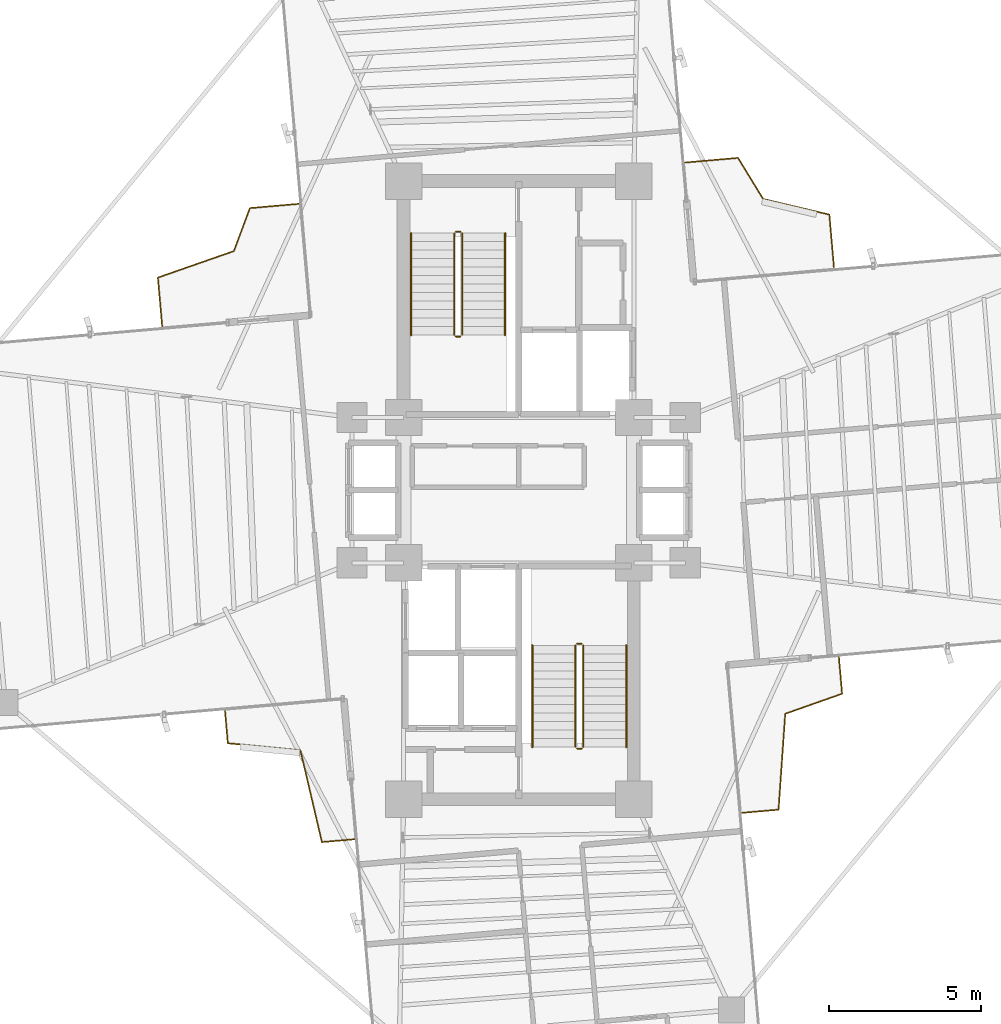
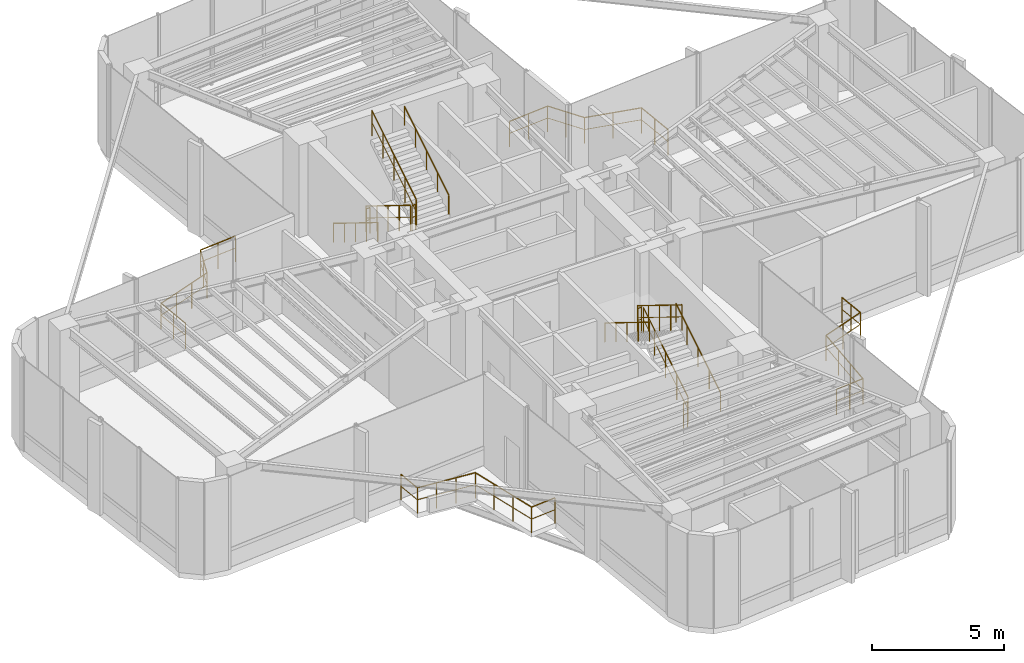
# One storey, part 19 of 19: 16 railings.
"""IFC4 building model written with IfcOpenShell, lengths in metres."""

from ifc_helpers import new_model, si_unit, direction, frame, origin, origin_2d, place, context, subcontext, project, spatial, circle, extrude, material, type_object, element, save


model = new_model("IFC4")

# Units and contexts
model_context = context("Model", 3, precision=1e-05, world=origin(), true_north=direction((0.0, 1.0)))
body_context = subcontext(model_context, "Body", "Model", "MODEL_VIEW")
ifc_project = project(units=[si_unit("LENGTHUNIT", "METRE"), si_unit("AREAUNIT", "SQUARE_METRE"), si_unit("VOLUMEUNIT", "CUBIC_METRE"), si_unit("PLANEANGLEUNIT", "RADIAN"), si_unit("MASSUNIT", "GRAM", prefix="KILO")], contexts=[model_context])

# Site, building, storey
site_placement = place(None, origin())
site = spatial("IfcSite", under=ifc_project, at=site_placement, CompositionType="ELEMENT")
building_placement = place(site_placement, origin())
building = spatial("IfcBuilding", under=site, at=building_placement, Name="Sahyath Konkavel Grand Hotel", CompositionType="ELEMENT")
storey_placement = place(building_placement, frame((0.0, 0.0, 142.75)))
storey = spatial("IfcBuildingStorey", under=building, at=storey_placement, Name="L39", CompositionType="ELEMENT", Elevation=142.75)

# Railings
ifc_material_1 = material(Name="Anodised Bronze Aluminium", Category="aluminium")
railing_type_1 = type_object("IfcRailingType", Name="RLG-BALC-1200", PredefinedType="GUARDRAIL", material=ifc_material_1)
railing_1_placement = place(storey_placement, frame((10.405517578125, 7.344970703125, 0.0)))
element("IfcRailing", 1, at=railing_1_placement, inside=storey, type_object=railing_type_1, Name="L39 Winter-Garden Guard NE", PredefinedType="GUARDRAIL", context=body_context, shape_type="SweptSolid", body=[
    extrude(circle(Radius=0.02392578125, at=origin_2d()), frame((-0.000244140625, 0.001953125, 1.17578125), z_axis=(-0.087151431864, 0.996195075236, 0.0), x_axis=(-0.996195075236, -0.087151431864, 0.0)), (0.0, 0.0, 1.0), 1.75244140625),
    extrude(circle(Radius=0.01416015625, at=origin_2d()), frame((-0.000244140625, 0.001953125, 0.6240234375), z_axis=(-0.087151431864, 0.996195075236, 0.0), x_axis=(-0.996195075236, -0.087151431864, 0.0)), (0.0, 0.0, 1.0), 1.75244140625),
    extrude(circle(Radius=0.02392578125, at=origin_2d()), frame((-0.155029296875, 1.750244140625, 1.17578125), z_axis=(-0.973084134691, 0.230450139536, 0.0), x_axis=(-0.230450139536, -0.973084134691, 0.0)), (0.0, 0.0, 1.0), 2.242919921875),
    extrude(circle(Radius=0.01416015625, at=origin_2d()), frame((-0.155029296875, 1.750244140625, 0.6240234375), z_axis=(-0.973084134691, 0.230450139536, 0.0), x_axis=(-0.230450139536, -0.973084134691, 0.0)), (0.0, 0.0, 1.0), 2.242919921875),
    extrude(circle(Radius=0.02392578125, at=origin_2d()), frame((-2.340576171875, 2.269287109375, 1.17578125), z_axis=(-0.52153712838, 0.8532285882, 0.0), x_axis=(-0.8532285882, -0.52153712838, 0.0)), (0.0, 0.0, 1.0), 1.5830078125),
    extrude(circle(Radius=0.01416015625, at=origin_2d()), frame((-2.340576171875, 2.269287109375, 0.6240234375), z_axis=(-0.52153712838, 0.8532285882, 0.0), x_axis=(-0.8532285882, -0.52153712838, 0.0)), (0.0, 0.0, 1.0), 1.5830078125),
    extrude(circle(Radius=0.02392578125, at=origin_2d()), frame((-3.169189453125, 3.621337890625, 1.17578125), z_axis=(-0.996196130754, -0.08713936579, 0.0), x_axis=(0.08713936579, -0.996196130754, 0.0)), (0.0, 0.0, 1.0), 1.752685546875),
    extrude(circle(Radius=0.01416015625, at=origin_2d()), frame((-3.169189453125, 3.621337890625, 0.6240234375), z_axis=(-0.996196130754, -0.08713936579, 0.0), x_axis=(0.08713936579, -0.996196130754, 0.0)), (0.0, 0.0, 1.0), 1.752685546875),
    extrude(circle(Radius=0.02099609375, at=origin_2d()), origin(), (0.0, 0.0, 1.0), 1.15185546875),
    extrude(circle(Radius=0.02099609375, at=origin_2d()), frame((-0.07666015625, 0.875, 0.0)), (0.0, 0.0, 1.0), 1.15185546875),
    extrude(circle(Radius=0.02099609375, at=origin_2d()), frame((-0.153076171875, 1.749755859375, 0.0)), (0.0, 0.0, 1.0), 1.15185546875),
    extrude(circle(Radius=0.02099609375, at=origin_2d()), frame((-1.246337890625, 2.0087890625, 0.0)), (0.0, 0.0, 1.0), 1.15185546875),
    extrude(circle(Radius=0.02099609375, at=origin_2d()), frame((-2.339599609375, 2.267578125, 0.0)), (0.0, 0.0, 1.0), 1.15185546875),
    extrude(circle(Radius=0.02099609375, at=origin_2d()), frame((-2.75341796875, 2.944580078125, 0.0)), (0.0, 0.0, 1.0), 1.15185546875),
    extrude(circle(Radius=0.02099609375, at=origin_2d()), frame((-3.167236328125, 3.62158203125, 0.0)), (0.0, 0.0, 1.0), 1.15185546875),
    extrude(circle(Radius=0.02099609375, at=origin_2d()), frame((-4.042236328125, 3.544921875, 0.0)), (0.0, 0.0, 1.0), 1.15185546875),
    extrude(circle(Radius=0.02099609375, at=origin_2d()), frame((-4.917236328125, 3.468505859375, 0.0)), (0.0, 0.0, 1.0), 1.15185546875),
])
railing_2_placement = place(storey_placement, frame((-7.26123046875, 9.4501953125, 0.0)))
element("IfcRailing", 2, at=railing_2_placement, inside=storey, type_object=railing_type_1, Name="L39 Winter-Garden Guard NW", PredefinedType="GUARDRAIL", context=body_context, shape_type="SweptSolid", body=[
    extrude(circle(Radius=0.02392578125, at=origin_2d()), frame((-0.001953125, -0.000244140625, 1.17578125), z_axis=(-0.996188309888, -0.087228729452, 0.0), x_axis=(0.087228729452, -0.996188309888, 0.0)), (0.0, 0.0, 1.0), 1.61376953125),
    extrude(circle(Radius=0.01416015625, at=origin_2d()), frame((-0.001953125, -0.000244140625, 0.6240234375), z_axis=(-0.996188309888, -0.087228729452, 0.0), x_axis=(0.087228729452, -0.996188309888, 0.0)), (0.0, 0.0, 1.0), 1.61376953125),
    extrude(circle(Radius=0.02392578125, at=origin_2d()), frame((-1.6123046875, -0.14306640625, 1.17578125), z_axis=(-0.350399143304, -0.936600469983, 0.0), x_axis=(0.936600469983, -0.350399143304, 0.0)), (0.0, 0.0, 1.0), 1.5107421875),
    extrude(circle(Radius=0.01416015625, at=origin_2d()), frame((-1.6123046875, -0.14306640625, 0.6240234375), z_axis=(-0.350399143304, -0.936600469983, 0.0), x_axis=(0.936600469983, -0.350399143304, 0.0)), (0.0, 0.0, 1.0), 1.5107421875),
    extrude(circle(Radius=0.02392578125, at=origin_2d()), frame((-2.144287109375, -1.560546875, 1.17578125), z_axis=(-0.944233437274, -0.329276807465, 0.0), x_axis=(0.329276807465, -0.944233437274, 0.0)), (0.0, 0.0, 1.0), 2.650390625),
    extrude(circle(Radius=0.01416015625, at=origin_2d()), frame((-2.144287109375, -1.560546875, 0.6240234375), z_axis=(-0.944233437274, -0.329276807465, 0.0), x_axis=(0.329276807465, -0.944233437274, 0.0)), (0.0, 0.0, 1.0), 2.650390625),
    extrude(circle(Radius=0.02392578125, at=origin_2d()), frame((-4.6484375, -2.435791015625, 1.17578125), z_axis=(0.087228729452, -0.996188309888, 0.0), x_axis=(0.996188309888, 0.087228729452, 0.0)), (0.0, 0.0, 1.0), 1.61376953125),
    extrude(circle(Radius=0.01416015625, at=origin_2d()), frame((-4.6484375, -2.435791015625, 0.6240234375), z_axis=(0.087228729452, -0.996188309888, 0.0), x_axis=(0.996188309888, 0.087228729452, 0.0)), (0.0, 0.0, 1.0), 1.61376953125),
    extrude(circle(Radius=0.02099609375, at=origin_2d()), origin(), (0.0, 0.0, 1.0), 1.15185546875),
    extrude(circle(Radius=0.02099609375, at=origin_2d()), frame((-0.8056640625, -0.070556640625, 0.0)), (0.0, 0.0, 1.0), 1.15185546875),
    extrude(circle(Radius=0.02099609375, at=origin_2d()), frame((-1.611572265625, -0.14111328125, 0.0)), (0.0, 0.0, 1.0), 1.15185546875),
    extrude(circle(Radius=0.02099609375, at=origin_2d()), frame((-1.876953125, -0.8505859375, 0.0)), (0.0, 0.0, 1.0), 1.15185546875),
    extrude(circle(Radius=0.02099609375, at=origin_2d()), frame((-2.142333984375, -1.559814453125, 0.0)), (0.0, 0.0, 1.0), 1.15185546875),
    extrude(circle(Radius=0.02099609375, at=origin_2d()), frame((-2.977783203125, -1.85107421875, 0.0)), (0.0, 0.0, 1.0), 1.15185546875),
    extrude(circle(Radius=0.02099609375, at=origin_2d()), frame((-3.813232421875, -2.142578125, 0.0)), (0.0, 0.0, 1.0), 1.15185546875),
    extrude(circle(Radius=0.02099609375, at=origin_2d()), frame((-4.648681640625, -2.433837890625, 0.0)), (0.0, 0.0, 1.0), 1.15185546875),
    extrude(circle(Radius=0.02099609375, at=origin_2d()), frame((-4.578125, -3.23974609375, 0.0)), (0.0, 0.0, 1.0), 1.15185546875),
    extrude(circle(Radius=0.02099609375, at=origin_2d()), frame((-4.507568359375, -4.04541015625, 0.0)), (0.0, 0.0, 1.0), 1.15185546875),
])
railing_3_placement = place(storey_placement, frame((-9.6962890625, -7.28271484375, 0.0)))
element("IfcRailing", 3, at=railing_3_placement, inside=storey, type_object=railing_type_1, Name="L39 Winter-Garden Guard SW", PredefinedType="GUARDRAIL", context=body_context, shape_type="SweptSolid", body=[
    extrude(circle(Radius=0.02392578125, at=origin_2d()), frame((0.000244140625, -0.001953125, 1.17578125), z_axis=(0.087403509854, -0.996172990231, 0.0), x_axis=(0.996172990231, 0.087403509854, 0.0)), (0.0, 0.0, 1.0), 1.0712890625),
    extrude(circle(Radius=0.01416015625, at=origin_2d()), frame((0.000244140625, -0.001953125, 0.6240234375), z_axis=(0.087403509854, -0.996172990231, 0.0), x_axis=(0.996172990231, 0.087403509854, 0.0)), (0.0, 0.0, 1.0), 1.0712890625),
    extrude(circle(Radius=0.02392578125, at=origin_2d()), frame((0.095947265625, -1.071533203125, 1.17578125), z_axis=(0.995280129777, -0.097043615303, 0.0), x_axis=(0.097043615303, 0.995280129777, 0.0)), (0.0, 0.0, 1.0), 2.403564453125),
    extrude(circle(Radius=0.01416015625, at=origin_2d()), frame((0.095947265625, -1.071533203125, 0.6240234375), z_axis=(0.995280129777, -0.097043615303, 0.0), x_axis=(0.097043615303, 0.995280129777, 0.0)), (0.0, 0.0, 1.0), 2.403564453125),
    extrude(circle(Radius=0.02392578125, at=origin_2d()), frame((2.49072265625, -1.306884765625, 1.17578125), z_axis=(0.227696056266, -0.973732255787, 0.0), x_axis=(0.973732255787, 0.227696056266, 0.0)), (0.0, 0.0, 1.0), 3.1064453125),
    extrude(circle(Radius=0.01416015625, at=origin_2d()), frame((2.49072265625, -1.306884765625, 0.6240234375), z_axis=(0.227696056266, -0.973732255787, 0.0), x_axis=(0.973732255787, 0.227696056266, 0.0)), (0.0, 0.0, 1.0), 3.1064453125),
    extrude(circle(Radius=0.02392578125, at=origin_2d()), frame((3.200439453125, -4.33349609375, 1.17578125), z_axis=(0.996192731738, 0.087178215357, 0.0), x_axis=(-0.087178215357, 0.996192731738, 0.0)), (0.0, 0.0, 1.0), 1.0712890625),
    extrude(circle(Radius=0.01416015625, at=origin_2d()), frame((3.200439453125, -4.33349609375, 0.6240234375), z_axis=(0.996192731738, 0.087178215357, 0.0), x_axis=(-0.087178215357, 0.996192731738, 0.0)), (0.0, 0.0, 1.0), 1.0712890625),
    extrude(circle(Radius=0.02099609375, at=origin_2d()), origin(), (0.0, 0.0, 1.0), 1.15185546875),
    extrude(circle(Radius=0.02099609375, at=origin_2d()), frame((0.093994140625, -1.0712890625, 0.0)), (0.0, 0.0, 1.0), 1.15185546875),
    extrude(circle(Radius=0.02099609375, at=origin_2d()), frame((0.892822265625, -1.149169921875, 0.0)), (0.0, 0.0, 1.0), 1.15185546875),
    extrude(circle(Radius=0.02099609375, at=origin_2d()), frame((1.69140625, -1.22705078125, 0.0)), (0.0, 0.0, 1.0), 1.15185546875),
    extrude(circle(Radius=0.02099609375, at=origin_2d()), frame((2.490234375, -1.304931640625, 0.0)), (0.0, 0.0, 1.0), 1.15185546875),
    extrude(circle(Radius=0.02099609375, at=origin_2d()), frame((2.726318359375, -2.314453125, 0.0)), (0.0, 0.0, 1.0), 1.15185546875),
    extrude(circle(Radius=0.02099609375, at=origin_2d()), frame((2.96240234375, -3.32421875, 0.0)), (0.0, 0.0, 1.0), 1.15185546875),
    extrude(circle(Radius=0.02099609375, at=origin_2d()), frame((3.198486328125, -4.333740234375, 0.0)), (0.0, 0.0, 1.0), 1.15185546875),
    extrude(circle(Radius=0.02099609375, at=origin_2d()), frame((4.269775390625, -4.239990234375, 0.0)), (0.0, 0.0, 1.0), 1.15185546875),
])
railing_4_placement = place(storey_placement, frame((7.366455078125, -10.651611328125, 0.0)))
element("IfcRailing", 4, at=railing_4_placement, inside=storey, type_object=railing_type_1, Name="L39 Winter-Garden Guard SE", PredefinedType="GUARDRAIL", context=body_context, shape_type="SweptSolid", body=[
    extrude(circle(Radius=0.02392578125, at=origin_2d()), frame((0.001953125, 0.000244140625, 1.17578125), z_axis=(0.996186075833, 0.087254239538, 0.0), x_axis=(-0.087254239538, 0.996186075833, 0.0)), (0.0, 0.0, 1.0), 1.21044921875),
    extrude(circle(Radius=0.01416015625, at=origin_2d()), frame((0.001953125, 0.000244140625, 0.6240234375), z_axis=(0.996186075833, 0.087254239538, 0.0), x_axis=(-0.087254239538, 0.996186075833, 0.0)), (0.0, 0.0, 1.0), 1.21044921875),
    extrude(circle(Radius=0.02392578125, at=origin_2d()), frame((1.2099609375, 0.10791015625, 1.17578125), z_axis=(0.069578668835, 0.997576467667, 0.0), x_axis=(-0.997576467667, 0.069578668835, 0.0)), (0.0, 0.0, 1.0), 3.16796875),
    extrude(circle(Radius=0.01416015625, at=origin_2d()), frame((1.2099609375, 0.10791015625, 0.6240234375), z_axis=(0.069578668835, 0.997576467667, 0.0), x_axis=(-0.997576467667, 0.069578668835, 0.0)), (0.0, 0.0, 1.0), 3.16796875),
    extrude(circle(Radius=0.02392578125, at=origin_2d()), frame((1.432373046875, 3.27099609375, 1.17578125), z_axis=(0.943094490442, 0.332524859368, 0.0), x_axis=(-0.332524859368, 0.943094490442, 0.0)), (0.0, 0.0, 1.0), 1.985595703125),
    extrude(circle(Radius=0.01416015625, at=origin_2d()), frame((1.432373046875, 3.27099609375, 0.6240234375), z_axis=(0.943094490442, 0.332524859368, 0.0), x_axis=(-0.332524859368, 0.943094490442, 0.0)), (0.0, 0.0, 1.0), 1.985595703125),
    extrude(circle(Radius=0.02392578125, at=origin_2d()), frame((3.306640625, 3.933837890625, 1.17578125), z_axis=(-0.087254239538, 0.996186075833, 0.0), x_axis=(-0.996186075833, -0.087254239538, 0.0)), (0.0, 0.0, 1.0), 1.21044921875),
    extrude(circle(Radius=0.01416015625, at=origin_2d()), frame((3.306640625, 3.933837890625, 0.6240234375), z_axis=(-0.087254239538, 0.996186075833, 0.0), x_axis=(-0.996186075833, -0.087254239538, 0.0)), (0.0, 0.0, 1.0), 1.21044921875),
    extrude(circle(Radius=0.02099609375, at=origin_2d()), origin(), (0.0, 0.0, 1.0), 1.15185546875),
    extrude(circle(Radius=0.02099609375, at=origin_2d()), frame((0.60498046875, 0.052978515625, 0.0)), (0.0, 0.0, 1.0), 1.15185546875),
    extrude(circle(Radius=0.02099609375, at=origin_2d()), frame((1.209716796875, 0.10595703125, 0.0)), (0.0, 0.0, 1.0), 1.15185546875),
    extrude(circle(Radius=0.02099609375, at=origin_2d()), frame((1.283203125, 1.16064453125, 0.0)), (0.0, 0.0, 1.0), 1.15185546875),
    extrude(circle(Radius=0.02099609375, at=origin_2d()), frame((1.35693359375, 2.215576171875, 0.0)), (0.0, 0.0, 1.0), 1.15185546875),
    extrude(circle(Radius=0.02099609375, at=origin_2d()), frame((1.430419921875, 3.270263671875, 0.0)), (0.0, 0.0, 1.0), 1.15185546875),
    extrude(circle(Radius=0.02099609375, at=origin_2d()), frame((2.36865234375, 3.60107421875, 0.0)), (0.0, 0.0, 1.0), 1.15185546875),
    extrude(circle(Radius=0.02099609375, at=origin_2d()), frame((3.306884765625, 3.931884765625, 0.0)), (0.0, 0.0, 1.0), 1.15185546875),
    extrude(circle(Radius=0.02099609375, at=origin_2d()), frame((3.25390625, 4.53662109375, 0.0)), (0.0, 0.0, 1.0), 1.15185546875),
    extrude(circle(Radius=0.02099609375, at=origin_2d()), frame((3.200927734375, 5.1416015625, 0.0)), (0.0, 0.0, 1.0), 1.15185546875),
])
ifc_material_2 = material(Name="Steel E350", Category="steel")
railing_type_2 = type_object("IfcRailingType", Name="RLG-STAIR-GRD", PredefinedType="GUARDRAIL", material=ifc_material_2)
railing_5_placement = place(storey_placement, frame((-2.1298828125, 8.47998046875, 0.173095703125)))
element("IfcRailing", 5, at=railing_5_placement, inside=storey, type_object=railing_type_2, Name="L39 ST-1 stair guard 1", PredefinedType="GUARDRAIL", context=body_context, shape_type="SweptSolid", body=[
    extrude(circle(Radius=0.02392578125, at=origin_2d()), frame((0.0, -0.001708984375, 1.177001953125), z_axis=(0.0, -0.850606129759, 0.525803396734), x_axis=(1.0, 0.0, 0.0)), (0.0, 0.0, 1.0), 3.946044921875),
    extrude(circle(Radius=0.01416015625, at=origin_2d()), frame((0.0, -0.001708984375, 0.625), z_axis=(0.0, -0.850606129759, 0.525803396734), x_axis=(1.0, 0.0, 0.0)), (0.0, 0.0, 1.0), 3.946044921875),
    extrude(circle(Radius=0.02099609375, at=origin_2d()), origin(), (0.0, 0.0, 1.0), 1.15185546875),
    extrude(circle(Radius=0.02099609375, at=origin_2d()), frame((0.0, -0.83984375, 0.519287109375)), (0.0, 0.0, 1.0), 1.15185546875),
    extrude(circle(Radius=0.02099609375, at=origin_2d()), frame((0.0, -1.679931640625, 1.03857421875)), (0.0, 0.0, 1.0), 1.15185546875),
    extrude(circle(Radius=0.02099609375, at=origin_2d()), frame((0.0, -2.52001953125, 1.5576171875)), (0.0, 0.0, 1.0), 1.15185546875),
    extrude(circle(Radius=0.02099609375, at=origin_2d()), frame((0.0, -3.35986328125, 2.076904296875)), (0.0, 0.0, 1.0), 1.15185546875),
])
railing_6_placement = place(storey_placement, frame((-2.080078125, 5.070068359375, 2.25)))
element("IfcRailing", 6, at=railing_6_placement, inside=storey, type_object=railing_type_2, Name="L39 ST-1 stair guard 2", PredefinedType="GUARDRAIL", context=body_context, shape_type="SweptSolid", body=[
    extrude(circle(Radius=0.02392578125, at=origin_2d()), frame((0.001953125, 0.0, 1.17578125), z_axis=(1.0, 0.0, 0.0), x_axis=(0.0, 1.0, 0.0)), (0.0, 0.0, 1.0), 0.15625),
    extrude(circle(Radius=0.01416015625, at=origin_2d()), frame((0.001953125, 0.0, 0.6240234375), z_axis=(1.0, 0.0, 0.0), x_axis=(0.0, 1.0, 0.0)), (0.0, 0.0, 1.0), 0.15625),
    extrude(circle(Radius=0.02099609375, at=origin_2d()), origin(), (0.0, 0.0, 1.0), 1.15185546875),
    extrude(circle(Radius=0.02099609375, at=origin_2d()), frame((0.16015625, 0.0, 0.0)), (0.0, 0.0, 1.0), 1.15185546875),
])
railing_7_placement = place(storey_placement, frame((-1.8701171875, 5.1201171875, 2.423095703125)))
element("IfcRailing", 7, at=railing_7_placement, inside=storey, type_object=railing_type_2, Name="L39 ST-1 stair guard 3", PredefinedType="GUARDRAIL", context=body_context, shape_type="SweptSolid", body=[
    extrude(circle(Radius=0.02392578125, at=origin_2d()), frame((0.0, 0.001708984375, 1.177001953125), z_axis=(0.0, 0.850606129759, 0.525803396734), x_axis=(-1.0, 0.0, 0.0)), (0.0, 0.0, 1.0), 3.946044921875),
    extrude(circle(Radius=0.01416015625, at=origin_2d()), frame((0.0, 0.001708984375, 0.625), z_axis=(0.0, 0.850606129759, 0.525803396734), x_axis=(-1.0, 0.0, 0.0)), (0.0, 0.0, 1.0), 3.946044921875),
    extrude(circle(Radius=0.02099609375, at=origin_2d()), origin(), (0.0, 0.0, 1.0), 1.15185546875),
    extrude(circle(Radius=0.02099609375, at=origin_2d()), frame((0.0, 0.83984375, 0.519287109375)), (0.0, 0.0, 1.0), 1.15185546875),
    extrude(circle(Radius=0.02099609375, at=origin_2d()), frame((0.0, 1.679931640625, 1.03857421875)), (0.0, 0.0, 1.0), 1.15185546875),
    extrude(circle(Radius=0.02099609375, at=origin_2d()), frame((0.0, 2.52001953125, 1.5576171875)), (0.0, 0.0, 1.0), 1.15185546875),
    extrude(circle(Radius=0.02099609375, at=origin_2d()), frame((0.0, 3.35986328125, 2.076904296875)), (0.0, 0.0, 1.0), 1.15185546875),
])
railing_8_placement = place(storey_placement, frame((-2.080078125, 8.530029296875, 0.0)))
element("IfcRailing", 8, at=railing_8_placement, inside=storey, type_object=railing_type_2, Name="L39 ST-1 stair guard 4", PredefinedType="GUARDRAIL", context=body_context, shape_type="SweptSolid", body=[
    extrude(circle(Radius=0.02392578125, at=origin_2d()), frame((0.001953125, 0.0, 1.17578125), z_axis=(1.0, 0.0, 0.0), x_axis=(0.0, 1.0, 0.0)), (0.0, 0.0, 1.0), 0.15625),
    extrude(circle(Radius=0.01416015625, at=origin_2d()), frame((0.001953125, 0.0, 0.6240234375), z_axis=(1.0, 0.0, 0.0), x_axis=(0.0, 1.0, 0.0)), (0.0, 0.0, 1.0), 0.15625),
    extrude(circle(Radius=0.02099609375, at=origin_2d()), origin(), (0.0, 0.0, 1.0), 1.15185546875),
    extrude(circle(Radius=0.02099609375, at=origin_2d()), frame((0.16015625, 0.0, 0.0)), (0.0, 0.0, 1.0), 1.15185546875),
])
railing_9_placement = place(storey_placement, frame((2.1298828125, -8.47998046875, 0.173095703125)))
element("IfcRailing", 9, at=railing_9_placement, inside=storey, type_object=railing_type_2, Name="L39 ST-2 stair guard 1", PredefinedType="GUARDRAIL", context=body_context, shape_type="SweptSolid", body=[
    extrude(circle(Radius=0.02392578125, at=origin_2d()), frame((0.0, 0.001708984375, 1.177001953125), z_axis=(0.0, 0.850606129759, 0.525803396734), x_axis=(-1.0, 0.0, 0.0)), (0.0, 0.0, 1.0), 3.946044921875),
    extrude(circle(Radius=0.01416015625, at=origin_2d()), frame((0.0, 0.001708984375, 0.625), z_axis=(0.0, 0.850606129759, 0.525803396734), x_axis=(-1.0, 0.0, 0.0)), (0.0, 0.0, 1.0), 3.946044921875),
    extrude(circle(Radius=0.02099609375, at=origin_2d()), origin(), (0.0, 0.0, 1.0), 1.15185546875),
    extrude(circle(Radius=0.02099609375, at=origin_2d()), frame((0.0, 0.83984375, 0.519287109375)), (0.0, 0.0, 1.0), 1.15185546875),
    extrude(circle(Radius=0.02099609375, at=origin_2d()), frame((0.0, 1.679931640625, 1.03857421875)), (0.0, 0.0, 1.0), 1.15185546875),
    extrude(circle(Radius=0.02099609375, at=origin_2d()), frame((0.0, 2.52001953125, 1.5576171875)), (0.0, 0.0, 1.0), 1.15185546875),
    extrude(circle(Radius=0.02099609375, at=origin_2d()), frame((0.0, 3.35986328125, 2.076904296875)), (0.0, 0.0, 1.0), 1.15185546875),
])
railing_10_placement = place(storey_placement, frame((2.080078125, -5.070068359375, 2.25)))
element("IfcRailing", 10, at=railing_10_placement, inside=storey, type_object=railing_type_2, Name="L39 ST-2 stair guard 2", PredefinedType="GUARDRAIL", context=body_context, shape_type="SweptSolid", body=[
    extrude(circle(Radius=0.02392578125, at=origin_2d()), frame((-0.001953125, 0.0, 1.17578125), z_axis=(-1.0, 0.0, 0.0), x_axis=(0.0, -1.0, 0.0)), (0.0, 0.0, 1.0), 0.15625),
    extrude(circle(Radius=0.01416015625, at=origin_2d()), frame((-0.001953125, 0.0, 0.6240234375), z_axis=(-1.0, 0.0, 0.0), x_axis=(0.0, -1.0, 0.0)), (0.0, 0.0, 1.0), 0.15625),
    extrude(circle(Radius=0.02099609375, at=origin_2d()), origin(), (0.0, 0.0, 1.0), 1.15185546875),
    extrude(circle(Radius=0.02099609375, at=origin_2d()), frame((-0.16015625, 0.0, 0.0)), (0.0, 0.0, 1.0), 1.15185546875),
])
railing_11_placement = place(storey_placement, frame((1.8701171875, -5.1201171875, 2.423095703125)))
element("IfcRailing", 11, at=railing_11_placement, inside=storey, type_object=railing_type_2, Name="L39 ST-2 stair guard 3", PredefinedType="GUARDRAIL", context=body_context, shape_type="SweptSolid", body=[
    extrude(circle(Radius=0.02392578125, at=origin_2d()), frame((0.0, -0.001708984375, 1.177001953125), z_axis=(0.0, -0.850606129759, 0.525803396734), x_axis=(1.0, 0.0, 0.0)), (0.0, 0.0, 1.0), 3.946044921875),
    extrude(circle(Radius=0.01416015625, at=origin_2d()), frame((0.0, -0.001708984375, 0.625), z_axis=(0.0, -0.850606129759, 0.525803396734), x_axis=(1.0, 0.0, 0.0)), (0.0, 0.0, 1.0), 3.946044921875),
    extrude(circle(Radius=0.02099609375, at=origin_2d()), origin(), (0.0, 0.0, 1.0), 1.15185546875),
    extrude(circle(Radius=0.02099609375, at=origin_2d()), frame((0.0, -0.83984375, 0.519287109375)), (0.0, 0.0, 1.0), 1.15185546875),
    extrude(circle(Radius=0.02099609375, at=origin_2d()), frame((0.0, -1.679931640625, 1.03857421875)), (0.0, 0.0, 1.0), 1.15185546875),
    extrude(circle(Radius=0.02099609375, at=origin_2d()), frame((0.0, -2.52001953125, 1.5576171875)), (0.0, 0.0, 1.0), 1.15185546875),
    extrude(circle(Radius=0.02099609375, at=origin_2d()), frame((0.0, -3.35986328125, 2.076904296875)), (0.0, 0.0, 1.0), 1.15185546875),
])
railing_12_placement = place(storey_placement, frame((2.080078125, -8.530029296875, 0.0)))
element("IfcRailing", 12, at=railing_12_placement, inside=storey, type_object=railing_type_2, Name="L39 ST-2 stair guard 4", PredefinedType="GUARDRAIL", context=body_context, shape_type="SweptSolid", body=[
    extrude(circle(Radius=0.02392578125, at=origin_2d()), frame((-0.001953125, 0.0, 1.17578125), z_axis=(-1.0, 0.0, 0.0), x_axis=(0.0, -1.0, 0.0)), (0.0, 0.0, 1.0), 0.15625),
    extrude(circle(Radius=0.01416015625, at=origin_2d()), frame((-0.001953125, 0.0, 0.6240234375), z_axis=(-1.0, 0.0, 0.0), x_axis=(0.0, -1.0, 0.0)), (0.0, 0.0, 1.0), 0.15625),
    extrude(circle(Radius=0.02099609375, at=origin_2d()), origin(), (0.0, 0.0, 1.0), 1.15185546875),
    extrude(circle(Radius=0.02099609375, at=origin_2d()), frame((-0.16015625, 0.0, 0.0)), (0.0, 0.0, 1.0), 1.15185546875),
])
railing_type_3 = type_object("IfcRailingType", Name="RLG-STAIR-HND", PredefinedType="HANDRAIL", material=ifc_material_1)
railing_13_placement = place(storey_placement, frame((-3.550048828125, 8.47998046875, 0.173095703125)))
element("IfcRailing", 13, at=railing_13_placement, inside=storey, type_object=railing_type_3, Name="L39 ST-1 stair handrail 1", PredefinedType="HANDRAIL", context=body_context, shape_type="SweptSolid", body=[
    extrude(circle(Radius=0.02392578125, at=origin_2d()), frame((0.0, -0.001708984375, 0.876953125), z_axis=(0.0, -0.850606129759, 0.525803396734), x_axis=(1.0, 0.0, 0.0)), (0.0, 0.0, 1.0), 3.946044921875),
    extrude(circle(Radius=0.02099609375, at=origin_2d()), origin(), (0.0, 0.0, 1.0), 0.851806640625),
    extrude(circle(Radius=0.02099609375, at=origin_2d()), frame((0.0, -0.83984375, 0.519287109375)), (0.0, 0.0, 1.0), 0.851806640625),
    extrude(circle(Radius=0.02099609375, at=origin_2d()), frame((0.0, -1.679931640625, 1.03857421875)), (0.0, 0.0, 1.0), 0.851806640625),
    extrude(circle(Radius=0.02099609375, at=origin_2d()), frame((0.0, -2.52001953125, 1.5576171875)), (0.0, 0.0, 1.0), 0.851806640625),
    extrude(circle(Radius=0.02099609375, at=origin_2d()), frame((0.0, -3.35986328125, 2.076904296875)), (0.0, 0.0, 1.0), 0.851806640625),
])
for number, where, name in (
    (14, (-0.449951171875, 5.1201171875, 2.423095703125), "L39 ST-1 stair handrail 2"),
    (15, (3.550048828125, -8.47998046875, 0.173095703125), "L39 ST-2 stair handrail 1"),
):
    element("IfcRailing", number, at=place(storey_placement, frame(where)), inside=storey, type_object=railing_type_3, Name=name, PredefinedType="HANDRAIL", context=body_context, shape_type="SweptSolid", body=[
        extrude(circle(Radius=0.02392578125, at=origin_2d()), frame((0.0, 0.001708984375, 0.876953125), z_axis=(0.0, 0.850606129759, 0.525803396734), x_axis=(-1.0, 0.0, 0.0)), (0.0, 0.0, 1.0), 3.946044921875),
        extrude(circle(Radius=0.02099609375, at=origin_2d()), origin(), (0.0, 0.0, 1.0), 0.851806640625),
        extrude(circle(Radius=0.02099609375, at=origin_2d()), frame((0.0, 0.83984375, 0.519287109375)), (0.0, 0.0, 1.0), 0.851806640625),
        extrude(circle(Radius=0.02099609375, at=origin_2d()), frame((0.0, 1.679931640625, 1.03857421875)), (0.0, 0.0, 1.0), 0.851806640625),
        extrude(circle(Radius=0.02099609375, at=origin_2d()), frame((0.0, 2.52001953125, 1.5576171875)), (0.0, 0.0, 1.0), 0.851806640625),
        extrude(circle(Radius=0.02099609375, at=origin_2d()), frame((0.0, 3.35986328125, 2.076904296875)), (0.0, 0.0, 1.0), 0.851806640625),
    ])
railing_14_placement = place(storey_placement, frame((0.449951171875, -5.1201171875, 2.423095703125)))
element("IfcRailing", 16, at=railing_14_placement, inside=storey, type_object=railing_type_3, Name="L39 ST-2 stair handrail 2", PredefinedType="HANDRAIL", context=body_context, shape_type="SweptSolid", body=[
    extrude(circle(Radius=0.02392578125, at=origin_2d()), frame((0.0, -0.001708984375, 0.876953125), z_axis=(0.0, -0.850606129759, 0.525803396734), x_axis=(1.0, 0.0, 0.0)), (0.0, 0.0, 1.0), 3.946044921875),
    extrude(circle(Radius=0.02099609375, at=origin_2d()), origin(), (0.0, 0.0, 1.0), 0.851806640625),
    extrude(circle(Radius=0.02099609375, at=origin_2d()), frame((0.0, -0.83984375, 0.519287109375)), (0.0, 0.0, 1.0), 0.851806640625),
    extrude(circle(Radius=0.02099609375, at=origin_2d()), frame((0.0, -1.679931640625, 1.03857421875)), (0.0, 0.0, 1.0), 0.851806640625),
    extrude(circle(Radius=0.02099609375, at=origin_2d()), frame((0.0, -2.52001953125, 1.5576171875)), (0.0, 0.0, 1.0), 0.851806640625),
    extrude(circle(Radius=0.02099609375, at=origin_2d()), frame((0.0, -3.35986328125, 2.076904296875)), (0.0, 0.0, 1.0), 0.851806640625),
])

save(model, "model.ifc")
